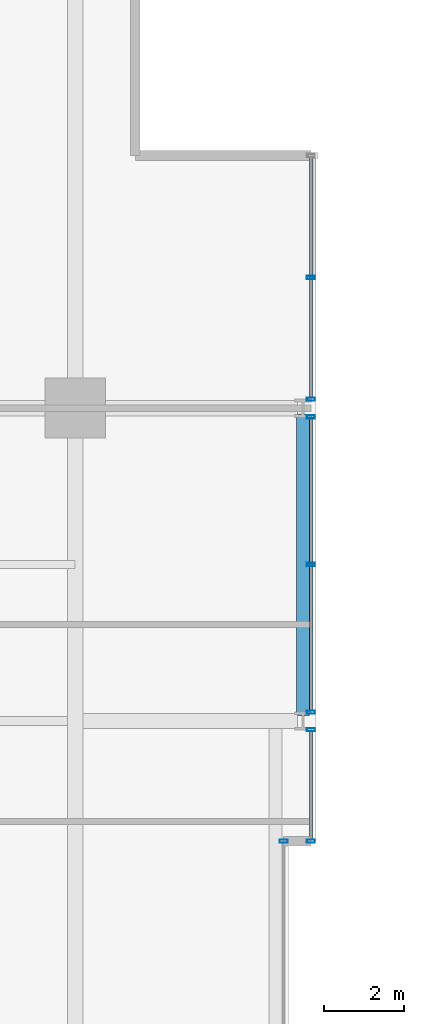
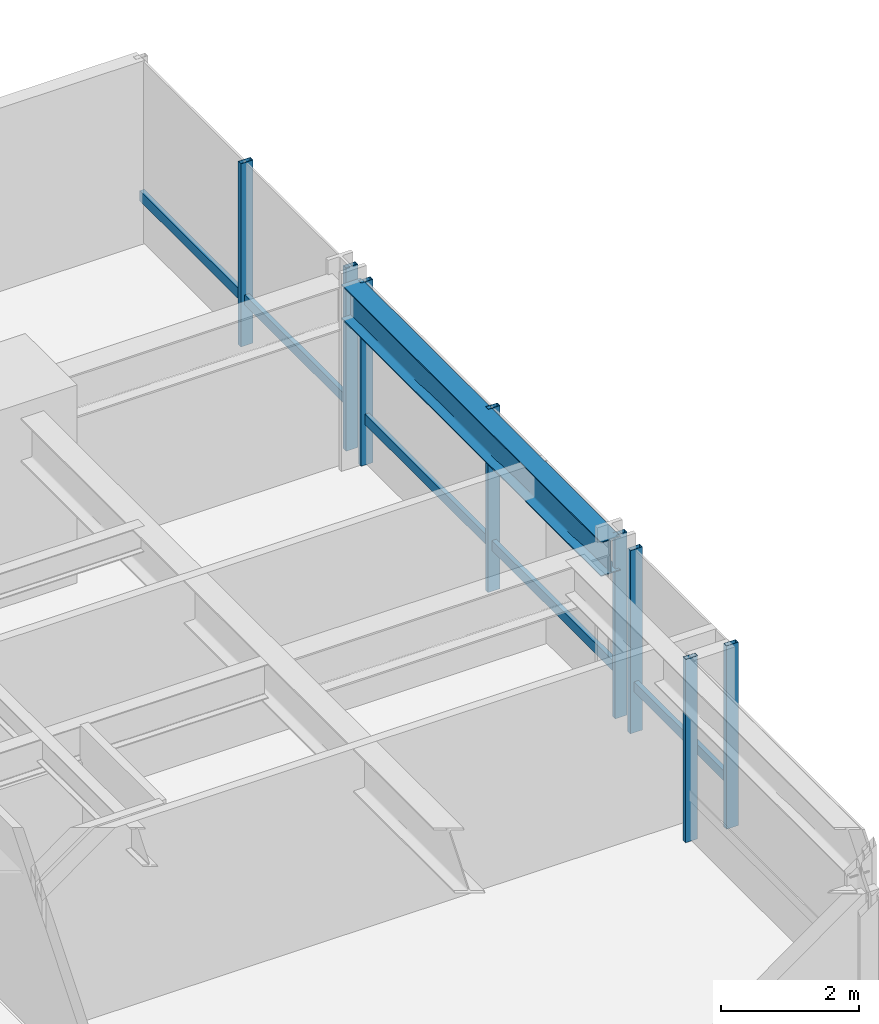
# One storey, part 24 of 35: 11 members, 1 beam, 4 elements without a shape of their own.
"""IFC4 building model written with IfcOpenShell, lengths in metres."""

import ifcopenshell
import ifcopenshell.guid

model = None  # the IFC model being written
_history = None  # IfcOwnerHistory: only IFC2X3 demands one
_inside = {}  # id of a spatial element -> (the spatial element, [elements in it])
_under = {}  # id of a project, library or spatial element -> (it, [spatial elements below it])
_declared = {}  # id of a project -> (the project, [libraries it declares])
_typed = {}  # id of a type object -> (the type object, [elements of that type])
_made_of = {}  # id of a material, layer set ... -> (it, [elements and type objects made of it])


def new_model(schema):
    """Start an empty IFC model of exactly this schema.

    Asked for "IFC4X3", IfcOpenShell would pick the latest addendum, in which some entities
    have other attributes; the version numbers below select the first issue.
    IFC2X3 requires an IfcOwnerHistory on every rooted entity: one is made here for all.
    """
    global model, _history
    if schema == "IFC4X3":
        model = ifcopenshell.file(schema_version=(4, 3, 0, 0))
    else:
        model = ifcopenshell.file(schema=schema)
    _inside.clear()
    _under.clear()
    _declared.clear()
    _typed.clear()
    _made_of.clear()
    _history = None
    if model.schema == "IFC2X3":
        org = make("IfcOrganization", Name="unknown")
        user = make(
            "IfcPersonAndOrganization",
            ThePerson=make("IfcPerson", FamilyName="unknown"),
            TheOrganization=org,
        )
        app = make(
            "IfcApplication",
            ApplicationDeveloper=org,
            Version="unknown",
            ApplicationFullName="unknown",
            ApplicationIdentifier="unknown",
        )
        _history = make(
            "IfcOwnerHistory",
            OwningUser=user,
            OwningApplication=app,
            ChangeAction="ADDED",
            CreationDate=0,
        )
    return model


def make(cls, **values):
    """One entity of the class cls with the attributes given. An attribute that is None is left unset."""
    return model.create_entity(
        cls, **{name: value for name, value in values.items() if value is not None}
    )


def rooted(cls, **values):
    """An entity with a GlobalId (a new one), such as an element, a storey or a relation."""
    return make(cls, GlobalId=ifcopenshell.guid.new(), OwnerHistory=_history, **values)


def si_unit(unit_type, name, prefix=None):
    """IfcSIUnit, for example si_unit("LENGTHUNIT", "METRE", prefix="MILLI")."""
    return make("IfcSIUnit", UnitType=unit_type, Prefix=prefix, Name=name)


def assignment(units):
    """IfcUnitAssignment: the units of a project."""
    return None if units is None else make("IfcUnitAssignment", Units=units)


def point(xyz):
    """IfcCartesianPoint."""
    return None if xyz is None else make("IfcCartesianPoint", Coordinates=xyz)


def direction(xyz):
    """IfcDirection."""
    return None if xyz is None else make("IfcDirection", DirectionRatios=xyz)


def frame(location, z_axis=None, x_axis=None):
    """IfcAxis2Placement3D, a coordinate frame: its origin and axes. An axis left out is left unset."""
    return make(
        "IfcAxis2Placement3D",
        Location=point(location),
        Axis=direction(z_axis),
        RefDirection=direction(x_axis),
    )


def frame_2d(location, x_axis=None):
    """IfcAxis2Placement2D, a coordinate frame in the plane: its origin and x axis."""
    return make(
        "IfcAxis2Placement2D", Location=point(location), RefDirection=direction(x_axis)
    )


def origin():
    """The frame at (0, 0, 0) with its axes left unset."""
    return frame((0.0, 0.0, 0.0))


def origin_2d():
    """The frame at (0, 0) in the plane with its x axis left unset."""
    return frame_2d((0.0, 0.0))


def place(relative_to, where):
    """IfcLocalPlacement: puts the frame where relative to a parent placement (None: the world)."""
    return make(
        "IfcLocalPlacement", PlacementRelTo=relative_to, RelativePlacement=where
    )


def context(
    kind, dimensions, precision=None, world=None, true_north=None, identifier=None
):
    """IfcGeometricRepresentationContext, for example the 3D "Model" context."""
    return make(
        "IfcGeometricRepresentationContext",
        ContextIdentifier=identifier,
        ContextType=kind,
        CoordinateSpaceDimension=dimensions,
        Precision=precision,
        WorldCoordinateSystem=world,
        TrueNorth=true_north,
    )


def subcontext(parent, identifier, kind, view, scale=None):
    """IfcGeometricRepresentationSubContext, for example "Body" below "Model"."""
    return make(
        "IfcGeometricRepresentationSubContext",
        ContextIdentifier=identifier,
        ContextType=kind,
        ParentContext=parent,
        TargetScale=scale,
        TargetView=view,
    )


def project(units=None, contexts=None):
    """IfcProject with its units and contexts."""
    return rooted(
        "IfcProject",
        Name="project",
        RepresentationContexts=contexts,
        UnitsInContext=assignment(units),
    )


def spatial(cls, under=None, at=None, **own):
    """A site, building, storey or space (cls), placed at a placement, below another one or the project."""
    s = rooted(cls, ObjectPlacement=at, **own)
    if under is not None:
        _under.setdefault(under.id(), (under, []))[1].append(s)
    return s


def profile(cls, at=None, kind="AREA", **sizes):
    """A parametric profile (cls). Its sizes go by their IFC names, for example OverallWidth=200.0."""
    return make(cls, ProfileType=kind, Position=at, **sizes)


def hollow_rectangle(**sizes):
    """IfcRectangleHollowProfileDef."""
    return profile("IfcRectangleHollowProfileDef", **sizes)


def i_section(**sizes):
    """IfcIShapeProfileDef."""
    return profile("IfcIShapeProfileDef", **sizes)


def extrude(swept, where, along, depth):
    """IfcExtrudedAreaSolid: the profile swept, set in the frame where, extruded along a direction by depth."""
    return make(
        "IfcExtrudedAreaSolid",
        SweptArea=swept,
        Position=where,
        ExtrudedDirection=direction(along),
        Depth=depth,
    )


def shape(context_of_items, identifier, shape_type, items):
    """IfcShapeRepresentation: the items that make up one representation, for example the "Body"."""
    return make(
        "IfcShapeRepresentation",
        ContextOfItems=context_of_items,
        RepresentationIdentifier=identifier,
        RepresentationType=shape_type,
        Items=items,
    )


def material(Name=None, Category=None):
    """IfcMaterial."""
    return make("IfcMaterial", Name=Name, Category=Category)


def layer(
    of_material, thickness, ventilated=None, Name=None, Category=None, Priority=None
):
    """IfcMaterialLayer: one layer of a wall or slab, of a material (None: an air gap)."""
    return make(
        "IfcMaterialLayer",
        Material=of_material,
        LayerThickness=thickness,
        IsVentilated=ventilated,
        Name=Name,
        Category=Category,
        Priority=Priority,
    )


def layer_set(layers, Name=None):
    """IfcMaterialLayerSet."""
    return make("IfcMaterialLayerSet", MaterialLayers=layers, LayerSetName=Name)


def material_profile(
    of_material, cross_section, Name=None, Category=None, Priority=None
):
    """IfcMaterialProfile: a cross section and its material."""
    return make(
        "IfcMaterialProfile",
        Name=Name,
        Material=of_material,
        Profile=cross_section,
        Priority=Priority,
        Category=Category,
    )


def profile_set(profiles, Name=None, composite=None):
    """IfcMaterialProfileSet."""
    return make(
        "IfcMaterialProfileSet",
        Name=Name,
        MaterialProfiles=profiles,
        CompositeProfile=composite,
    )


def made_of(thing, what):
    """Note that an element or type object is made of a material, layer set ...; save() writes the relation."""
    if what is not None:
        _made_of.setdefault(what.id(), (what, []))[1].append(thing)
    return thing


def type_object(cls, material=None, **own):
    """A type object (cls), such as IfcWallType, which elements share."""
    return made_of(rooted(cls, **own), material)


def element(
    cls,
    number,
    at=None,
    inside=None,
    cuts=None,
    type_object=None,
    material=None,
    context=None,
    identifier="Body",
    shape_type=None,
    held_by="IfcProductDefinitionShape",
    body=None,
    shapes=None,
    **own,
):
    """One element of the class cls, such as IfcWall. Its Tag is "e" and its number.

    at: its placement. inside: the storey or other place that contains it. cuts: it is an
    opening in that element (IfcRelVoidsElement). A single representation is given by context,
    identifier, shape_type and body (its items); several are given by shapes. held_by: the class
    of the entity that holds the representations. save() writes the other relations.
    """
    e = rooted(cls, Tag="e%d" % number, ObjectPlacement=at, **own)
    if body is not None:
        shapes = [shape(context, identifier, shape_type, body)]
    if shapes is not None:
        e.Representation = make(held_by, Representations=shapes)
    if inside is not None:
        _inside.setdefault(inside.id(), (inside, []))[1].append(e)
    if cuts is not None:
        rooted(
            "IfcRelVoidsElement", RelatingBuildingElement=cuts, RelatedOpeningElement=e
        )
    if type_object is not None:
        _typed.setdefault(type_object.id(), (type_object, []))[1].append(e)
    return made_of(e, material)


def aggregate(whole, parts):
    """IfcRelAggregates: a whole, such as a stair, and the parts it consists of."""
    return rooted("IfcRelAggregates", RelatingObject=whole, RelatedObjects=parts)


def save(model, path):
    """Write the relations noted so far, then the file.

    IfcRelAggregates (storeys below a building ...), IfcRelContainedInSpatialStructure (elements
    in a storey), IfcRelDefinesByType, IfcRelAssociatesMaterial and IfcRelDeclares: one each for
    every whole, place, type object, material and project.
    """
    for whole, parts in _under.values():
        aggregate(whole, parts)
    for where, things in _inside.values():
        rooted(
            "IfcRelContainedInSpatialStructure",
            RelatedElements=things,
            RelatingStructure=where,
        )
    for kind, things in _typed.values():
        rooted("IfcRelDefinesByType", RelatedObjects=things, RelatingType=kind)
    for what, things in _made_of.values():
        rooted("IfcRelAssociatesMaterial", RelatedObjects=things, RelatingMaterial=what)
    for by, libraries in _declared.values():
        rooted("IfcRelDeclares", RelatingContext=by, RelatedDefinitions=libraries)
    model.write(path)


model = new_model("IFC4")

# Units and contexts
model_context = context("Model", 3, precision=1e-05, world=origin(), true_north=direction((0.0, 1.0)))
body_context = subcontext(model_context, "Body", "Model", "MODEL_VIEW")
ifc_project = project(units=[si_unit("LENGTHUNIT", "METRE"), si_unit("AREAUNIT", "SQUARE_METRE"), si_unit("VOLUMEUNIT", "CUBIC_METRE"), si_unit("PLANEANGLEUNIT", "RADIAN"), si_unit("MASSUNIT", "GRAM", prefix="KILO")], contexts=[model_context])

# Site, building, storey
site_placement = place(None, origin())
site = spatial("IfcSite", under=ifc_project, at=site_placement, CompositionType="ELEMENT")
building_placement = place(site_placement, origin())
building = spatial("IfcBuilding", under=site, at=building_placement, Name="Drelvath Grand Hotel", CompositionType="ELEMENT")
storey_placement = place(building_placement, frame((0.0, 0.0, 98.800048828125)))
storey = spatial("IfcBuildingStorey", under=building, at=storey_placement, Name="L24", CompositionType="ELEMENT", Elevation=98.800048828125)

# Curtain wall, member
ifc_material_1 = material(Name="Champagne Bronze Anodised Aluminium Frame", Category="aluminium")
ifc_layer = layer(ifc_material_1, 0.199951171875)
ifc_layer_set = layer_set([ifc_layer], Name="Champagne Bronze Anodised Aluminium Frame")
curtain_wall_type = type_object("IfcCurtainWallType", Name="Stick Curtain Wall CW-03 Champagne Bronze Mid-Rise", PredefinedType="NOTDEFINED", material=ifc_layer_set)
curtain_wall_1_placement = place(storey_placement, origin())
curtain_wall_1 = element("IfcCurtainWall", 1, at=curtain_wall_1_placement, inside=storey, type_object=curtain_wall_type, Name="L24 CW-03 Curtain Wall CW03-L24-EN1", PredefinedType="NOTDEFINED")
ifc_material_profile_1 = material_profile(ifc_material_1, hollow_rectangle(XDim=0.074951171875, YDim=0.179931640625, WallThickness=0.0048828125, at=origin_2d()), Name="HSS180X75X5")
ifc_profile_set_1 = profile_set([ifc_material_profile_1], Name="Champagne Bronze Anodised Aluminium Frame")
member_type_1 = type_object("IfcMemberType", Name="Curtain Wall Horizontal Transom CW-03 HSS180X75X5", PredefinedType="USERDEFINED", material=ifc_profile_set_1)
member_1_placement = place(storey_placement, frame((22.080078125, 35.140380859375, 0.81005859375), z_axis=(0.0, -1.0, 0.0), x_axis=(1.0, 0.0, 0.0)))
member_1 = element("IfcMember", 2, at=member_1_placement, type_object=member_type_1, Name="CW03-L24-EN1 Sill Transom", ObjectType="TRANSOM", PredefinedType="USERDEFINED", context=body_context, shape_type="SweptSolid", body=[
    extrude(hollow_rectangle(XDim=0.074951171875, YDim=0.179931640625, WallThickness=0.0048828125, at=origin_2d()), origin(), (0.0, 0.0, 1.0), 2.700439453125),
])

curtain_wall_2_placement = place(storey_placement, origin())
curtain_wall_2 = element("IfcCurtainWall", 3, at=curtain_wall_2_placement, inside=storey, type_object=curtain_wall_type, Name="L24 CW-03 Curtain Wall CW03-L24-EN2", PredefinedType="NOTDEFINED")
member_2_placement = place(storey_placement, frame((22.080078125, 42.9404296875, 0.81005859375), z_axis=(0.0, -1.0, 0.0), x_axis=(1.0, 0.0, 0.0)))
member_2 = element("IfcMember", 4, at=member_2_placement, type_object=member_type_1, Name="CW03-L24-EN2 Sill Transom", ObjectType="TRANSOM", PredefinedType="USERDEFINED", context=body_context, shape_type="SweptSolid", body=[
    extrude(hollow_rectangle(XDim=0.074951171875, YDim=0.179931640625, WallThickness=0.0048828125, at=origin_2d()), origin(), (0.0, 0.0, 1.0), 7.28076171875),
])

curtain_wall_3_placement = place(storey_placement, origin())
curtain_wall_3 = element("IfcCurtainWall", 5, at=curtain_wall_3_placement, inside=storey, type_object=curtain_wall_type, Name="L24 CW-03 Curtain Wall CW03-L24-EN3", PredefinedType="NOTDEFINED")
member_3_placement = place(storey_placement, frame((22.080078125, 49.4599609375, 0.81005859375), z_axis=(0.0, -1.0, 0.0), x_axis=(1.0, 0.0, 0.0)))
member_3 = element("IfcMember", 6, at=member_3_placement, type_object=member_type_1, Name="CW03-L24-EN3 Sill Transom", ObjectType="TRANSOM", PredefinedType="USERDEFINED", context=body_context, shape_type="SweptSolid", body=[
    extrude(hollow_rectangle(XDim=0.074951171875, YDim=0.179931640625, WallThickness=0.0048828125, at=origin_2d()), origin(), (0.0, 0.0, 1.0), 6.000244140625),
])

# Member
ifc_material_profile_2 = material_profile(ifc_material_1, hollow_rectangle(XDim=0.080078125, YDim=0.199951171875, WallThickness=0.0048828125, at=origin_2d()), Name="HSS200X80X5")
ifc_profile_set_2 = profile_set([ifc_material_profile_2], Name="Champagne Bronze Anodised Aluminium Frame")
member_type_2 = type_object("IfcMemberType", Name="Curtain Wall Vertical Mullion CW-03 HSS200X80X5", PredefinedType="MULLION", material=ifc_profile_set_2)
member_4_placement = place(storey_placement, frame((22.080078125, 35.180419921875, 0.0), z_axis=(0.0, 0.0, 1.0), x_axis=(0.0, 1.0, 0.0)))
member_4 = element("IfcMember", 7, at=member_4_placement, type_object=member_type_2, Name="CW03-L24-EN1 Mullion 1", PredefinedType="MULLION", context=body_context, shape_type="SweptSolid", body=[
    extrude(hollow_rectangle(XDim=0.080078125, YDim=0.199951171875, WallThickness=0.0048828125, at=origin_2d()), origin(), (0.0, 0.0, 1.0), 3.239990234375),
])

member_5_placement = place(storey_placement, frame((22.080078125, 32.39990234375, 0.0), z_axis=(0.0, 0.0, 1.0), x_axis=(0.0, 1.0, 0.0)))
member_5 = element("IfcMember", 8, at=member_5_placement, type_object=member_type_2, Name="CW03-L24-EN1 Mullion 2", PredefinedType="MULLION", context=body_context, shape_type="SweptSolid", body=[
    extrude(hollow_rectangle(XDim=0.080078125, YDim=0.199951171875, WallThickness=0.0048828125, at=origin_2d()), origin(), (0.0, 0.0, 1.0), 3.239990234375),
])

aggregate(curtain_wall_1, [member_4, member_5, member_1])

member_6_placement = place(storey_placement, frame((22.080078125, 42.98046875, 0.0), z_axis=(0.0, 0.0, 1.0), x_axis=(0.0, 1.0, 0.0)))
member_6 = element("IfcMember", 9, at=member_6_placement, type_object=member_type_2, Name="CW03-L24-EN2 Mullion 1", PredefinedType="MULLION", context=body_context, shape_type="SweptSolid", body=[
    extrude(hollow_rectangle(XDim=0.080078125, YDim=0.199951171875, WallThickness=0.0048828125, at=origin_2d()), origin(), (0.0, 0.0, 1.0), 3.239990234375),
])

member_7_placement = place(storey_placement, frame((22.080078125, 39.300048828125, 0.0), z_axis=(0.0, 0.0, 1.0), x_axis=(0.0, 1.0, 0.0)))
member_7 = element("IfcMember", 10, at=member_7_placement, type_object=member_type_2, Name="CW03-L24-EN2 Mullion 2", PredefinedType="MULLION", context=body_context, shape_type="SweptSolid", body=[
    extrude(hollow_rectangle(XDim=0.080078125, YDim=0.199951171875, WallThickness=0.0048828125, at=origin_2d()), origin(), (0.0, 0.0, 1.0), 3.239990234375),
])

member_8_placement = place(storey_placement, frame((22.080078125, 35.61962890625, 0.0), z_axis=(0.0, 0.0, 1.0), x_axis=(0.0, 1.0, 0.0)))
member_8 = element("IfcMember", 11, at=member_8_placement, type_object=member_type_2, Name="CW03-L24-EN2 Mullion 3", PredefinedType="MULLION", context=body_context, shape_type="SweptSolid", body=[
    extrude(hollow_rectangle(XDim=0.080078125, YDim=0.199951171875, WallThickness=0.0048828125, at=origin_2d()), origin(), (0.0, 0.0, 1.0), 3.239990234375),
])

aggregate(curtain_wall_2, [member_6, member_7, member_8, member_2])

member_9_placement = place(storey_placement, frame((22.080078125, 46.459716796875, 0.0), z_axis=(0.0, 0.0, 1.0), x_axis=(0.0, 1.0, 0.0)))
member_9 = element("IfcMember", 12, at=member_9_placement, type_object=member_type_2, Name="CW03-L24-EN3 Mullion 2", PredefinedType="MULLION", context=body_context, shape_type="SweptSolid", body=[
    extrude(hollow_rectangle(XDim=0.080078125, YDim=0.199951171875, WallThickness=0.0048828125, at=origin_2d()), origin(), (0.0, 0.0, 1.0), 3.239990234375),
])

member_10_placement = place(storey_placement, frame((22.080078125, 43.419677734375, 0.0), z_axis=(0.0, 0.0, 1.0), x_axis=(0.0, 1.0, 0.0)))
member_10 = element("IfcMember", 13, at=member_10_placement, type_object=member_type_2, Name="CW03-L24-EN3 Mullion 3", PredefinedType="MULLION", context=body_context, shape_type="SweptSolid", body=[
    extrude(hollow_rectangle(XDim=0.080078125, YDim=0.199951171875, WallThickness=0.0048828125, at=origin_2d()), origin(), (0.0, 0.0, 1.0), 3.239990234375),
])

aggregate(curtain_wall_3, [member_9, member_10, member_3])

# Curtain wall, member
curtain_wall_4_placement = place(storey_placement, origin())
curtain_wall_4 = element("IfcCurtainWall", 14, at=curtain_wall_4_placement, inside=storey, type_object=curtain_wall_type, Name="L24 CW-03 Curtain Wall CW03-L24-EM2", PredefinedType="NOTDEFINED")
member_11_placement = place(storey_placement, frame((21.39990234375, 32.39990234375, 0.0), z_axis=(0.0, 0.0, 1.0), x_axis=(0.0, 1.0, 0.0)))
member_11 = element("IfcMember", 15, at=member_11_placement, type_object=member_type_2, Name="CW03-L24-EM2 Mullion 1", PredefinedType="MULLION", context=body_context, shape_type="SweptSolid", body=[
    extrude(hollow_rectangle(XDim=0.080078125, YDim=0.199951171875, WallThickness=0.0048828125, at=origin_2d()), origin(), (0.0, 0.0, 1.0), 3.239990234375),
])
aggregate(curtain_wall_4, [member_11])

# Beam
ifc_material_2 = material(Name="Steel ASTM A992 Gr 50", Category="steel")
ifc_material_profile_3 = material_profile(ifc_material_2, i_section(OverallWidth=0.323974609375, OverallDepth=0.611083984375, WebThickness=0.0126953125, FlangeThickness=0.01904296875, FilletRadius=0.02197265625, at=origin_2d()), Name="W24X104")
ifc_profile_set_3 = profile_set([ifc_material_profile_3], Name="Steel ASTM A992 Gr 50")
beam_type = type_object("IfcBeamType", Name="Perimeter Spandrel Beam W24X104", PredefinedType="SPANDREL", material=ifc_profile_set_3)
beam_placement = place(storey_placement, frame((21.8798828125, 35.5400390625, 2.9345703125), z_axis=(0.0, 1.0, 0.0), x_axis=(-1.0, 0.0, 0.0)))
element("IfcBeam", 16, at=beam_placement, inside=storey, type_object=beam_type, Name="L24 Spandrel East N", PredefinedType="SPANDREL", context=body_context, shape_type="SweptSolid", body=[
    extrude(i_section(OverallWidth=0.323974609375, OverallDepth=0.611083984375, WebThickness=0.0126953125, FlangeThickness=0.01904296875, FilletRadius=0.02197265625, at=origin_2d()), origin(), (0.0, 0.0, 1.0), 7.52001953125),
])

save(model, "model.ifc")
